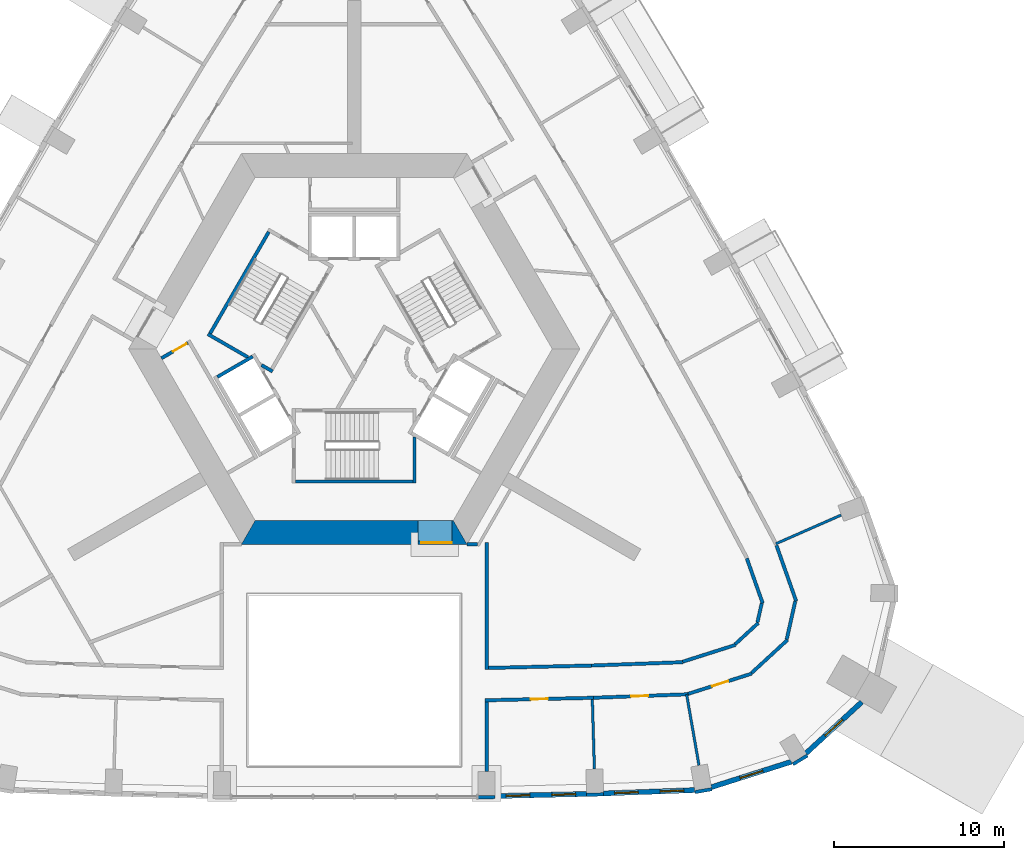
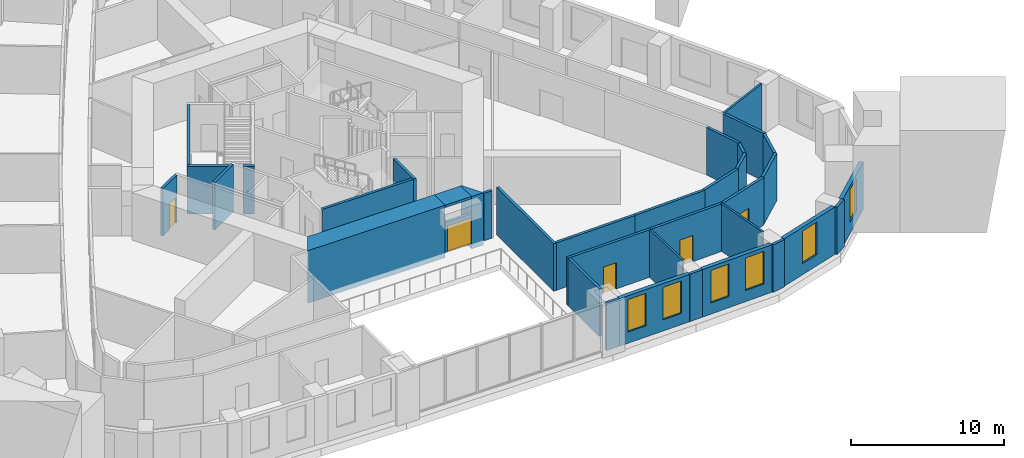
# One storey, part 5 of 13: 37 walls, 6 windows, 5 doors, 11 openings.
"""IFC4 building model written with IfcOpenShell, lengths in metres."""

from ifc_helpers import new_model, si_unit, direction, frame, frame_2d, origin, place, context, subcontext, project, spatial, polyline, rectangle, outline, extrude, material, layer, layer_set, type_object, element, fill, save


model = new_model("IFC4")

# Units and contexts
model_context = context("Model", 3, precision=1e-05, world=origin(), true_north=direction((0.0, 1.0)))
body_context = subcontext(model_context, "Body", "Model", "MODEL_VIEW")
ifc_project = project(units=[si_unit("LENGTHUNIT", "METRE"), si_unit("AREAUNIT", "SQUARE_METRE"), si_unit("VOLUMEUNIT", "CUBIC_METRE"), si_unit("PLANEANGLEUNIT", "RADIAN"), si_unit("MASSUNIT", "GRAM", prefix="KILO")], contexts=[model_context])

# Site, building, storey
site_placement = place(None, origin())
site = spatial("IfcSite", under=ifc_project, at=site_placement, CompositionType="ELEMENT")
building_placement = place(site_placement, origin())
building = spatial("IfcBuilding", under=site, at=building_placement, Name="Entoto Arch Interchange Tower", CompositionType="ELEMENT")
storey_placement = place(building_placement, frame((0.0, 0.0, 227.60009765625)))
storey = spatial("IfcBuildingStorey", under=building, at=storey_placement, Name="L51", CompositionType="ELEMENT", Elevation=227.60009765625)

# Wall, opening, door
ifc_material_1 = material(Name="Reinforced concrete C40/50", Category="concrete")
ifc_layer_1 = layer(ifc_material_1, 0.199951171875)
ifc_layer_set_1 = layer_set([ifc_layer_1], Name="Reinforced concrete C40/50")
wall_type_1 = type_object("IfcWallType", Name="CORE GAP INFILL WALL", PredefinedType="PARTITIONING", material=ifc_layer_set_1)
wall_1_placement = place(storey_placement, frame((3.75, -8.89990234375, 0.0), z_axis=(0.0, 0.0, 1.0), x_axis=(1.0, 0.0, 0.0)))
wall_1 = element("IfcWall", 1, at=wall_1_placement, inside=storey, type_object=wall_type_1, Name="wall:L51:gap1", PredefinedType="PARTITIONING", context=body_context, shape_type="SweptSolid", body=[
    extrude(rectangle(XDim=2.0, YDim=0.199951171875, at=frame_2d((1.0, 0.0))), origin(), (0.0, 0.0, 1.0), 2.39990234375),
])
opening_1_placement = place(wall_1_placement, frame((0.18994140625, 0.0, 0.0)))
opening_1 = element("IfcOpeningElement", 2, at=opening_1_placement, cuts=wall_1, Name="Opening L51-D91", PredefinedType="OPENING", context=body_context, shape_type="SweptSolid", body=[
    extrude(rectangle(XDim=1.800048828125, YDim=2.10009765625, at=frame_2d((0.89990234375, 1.050048828125))), frame((0.0, 0.10986328125, 0.0), z_axis=(0.0, -1.0, 0.0), x_axis=(1.0, 0.0, 0.0)), (0.0, 0.0, 1.0), 0.219970703125),
])
ifc_material_2 = material(Name="Fire-rated Steel S235 door and frame", Category="steel")
door_type_1 = type_object("IfcDoorType", Name="DOOR FD-18 1800x2100", OperationType="DOUBLE_DOOR_SINGLE_SWING", PredefinedType="DOOR", material=ifc_material_2)
door_1_placement = place(opening_1_placement, origin())
door_1 = element("IfcDoor", 3, at=door_1_placement, inside=storey, type_object=door_type_1, Name="door:L51:gap1", OperationType="DOUBLE_DOOR_SINGLE_SWING", OverallHeight=2.10009765625, OverallWidth=1.800048828125, PredefinedType="DOOR", context=body_context, shape_type="SweptSolid", body=[
    extrude(rectangle(XDim=1.800048828125, YDim=2.10009765625, at=frame_2d((0.89990234375, 1.050048828125))), frame((0.0, 0.02490234375, 0.0), z_axis=(0.0, -1.0, 0.0), x_axis=(1.0, 0.0, 0.0)), (0.0, 0.0, 1.0), 0.050048828125),
])
fill(opening_1, door_1)

# Walls
ifc_material_3 = material(Name="Concrete C50/60", Category="concrete")
ifc_layer_2 = layer(ifc_material_3, 1.39990234375)
ifc_layer_set_2 = layer_set([ifc_layer_2], Name="Concrete C50/60")
wall_type_2 = type_object("IfcWallType", Name="Core wall 1400 C50/60", PredefinedType="SHEAR", material=ifc_layer_set_2)
wall_2_placement = place(storey_placement, frame((0.0, 0.0, -0.400146484375)))
element("IfcWall", 4, at=wall_2_placement, inside=storey, type_object=wall_type_2, Name="Core wall S L51", PredefinedType="SHEAR", context=body_context, shape_type="SweptSolid", body=[
    extrude(outline(polyline([(3.75, -9.0), (3.75, -7.60009765625), (-5.8310546875, -7.60009765625), (-6.639892578125, -9.0), (3.75, -9.0)])), origin(), (0.0, 0.0, 1.0), 4.199951171875),
])
wall_3_placement = place(storey_placement, frame((0.0, 0.0, -0.400146484375)))
element("IfcWall", 5, at=wall_3_placement, inside=storey, type_object=wall_type_2, Name="Core wall S L51", PredefinedType="SHEAR", context=body_context, shape_type="SweptSolid", body=[
    extrude(outline(polyline([(5.75, -7.60009765625), (5.75, -9.0), (6.639892578125, -9.0), (5.8310546875, -7.60009765625), (5.75, -7.60009765625)])), origin(), (0.0, 0.0, 1.0), 4.199951171875),
])
wall_4_placement = place(storey_placement, frame((0.0, 0.0, 3.599853515625)))
element("IfcWall", 6, at=wall_4_placement, inside=storey, type_object=wall_type_2, Name="Core wall lintel S L51", PredefinedType="SHEAR", context=body_context, shape_type="SweptSolid", body=[
    extrude(outline(polyline([(5.75, -9.0), (5.75, -7.60009765625), (3.75, -7.60009765625), (3.75, -9.0), (5.75, -9.0)])), origin(), (0.0, 0.0, 1.0), 0.199951171875),
])
ifc_material_4 = material(Name="Concrete C40/50", Category="concrete")
ifc_layer_3 = layer(ifc_material_4, 0.199951171875)
ifc_layer_set_3 = layer_set([ifc_layer_3], Name="Concrete C40/50")
wall_type_3 = type_object("IfcWallType", Name="LIFT SHAFT WALL 200", PredefinedType="STANDARD", material=ifc_layer_set_3)
wall_5_placement = place(storey_placement, frame((-5.97705078125, 2.052001953125, 0.0), z_axis=(0.0, 0.0, 1.0), x_axis=(-0.865973769406, -0.500089422704, 0.0)))
element("IfcWall", 7, at=wall_5_placement, inside=storey, type_object=wall_type_3, Name="Shaft wall SW1 cross 1", PredefinedType="STANDARD", context=body_context, shape_type="SweptSolid", body=[
    extrude(rectangle(XDim=2.3994140625, YDim=0.199951171875, at=frame_2d((1.19970703125, 0.0))), origin(), (0.0, 0.0, 1.0), 3.7998046875),
])
ifc_material_5 = material(Name="Gypsum board partition on steel studs", Category="steel")
ifc_layer_4 = layer(ifc_material_5, 0.14990234375)
ifc_layer_set_4 = layer_set([ifc_layer_4], Name="Gypsum board partition on steel studs")
wall_type_4 = type_object("IfcWallType", Name="PARTITION 150", PredefinedType="PARTITIONING", material=ifc_layer_set_4)
wall_6_placement = place(storey_placement, frame((14.013916015625, -18.132080078125, 0.0), z_axis=(0.0, 0.0, 1.0), x_axis=(0.029914181802, -0.999552470722, 0.0)))
element("IfcWall", 8, at=wall_6_placement, inside=storey, type_object=wall_type_4, Name="wall:L51:p114", PredefinedType="PARTITIONING", context=body_context, shape_type="SweptSolid", body=[
    extrude(rectangle(XDim=4.08056640625, YDim=0.14990234375, at=frame_2d((2.040283203125, 0.0))), origin(), (0.0, 0.0, 1.0), 3.7998046875),
])
wall_7_placement = place(storey_placement, frame((19.56396484375, -17.827880859375, 0.0), z_axis=(0.0, 0.0, 1.0), x_axis=(0.171715909123, -0.985146510197, 0.0)))
element("IfcWall", 9, at=wall_7_placement, inside=storey, type_object=wall_type_4, Name="wall:L51:p115", PredefinedType="PARTITIONING", context=body_context, shape_type="SweptSolid", body=[
    extrude(rectangle(XDim=4.234130859375, YDim=0.14990234375, at=frame_2d((2.1171875, 0.0))), origin(), (0.0, 0.0, 1.0), 3.7998046875),
])
wall_8_placement = place(storey_placement, frame((24.819091796875, -8.964111328125, 0.0), z_axis=(0.0, 0.0, 1.0), x_axis=(0.915460951187, 0.402406817602, 0.0)))
element("IfcWall", 10, at=wall_8_placement, inside=storey, type_object=wall_type_4, Name="wall:L51:p116", PredefinedType="PARTITIONING", context=body_context, shape_type="SweptSolid", body=[
    extrude(rectangle(XDim=4.1923828125, YDim=0.14990234375, at=frame_2d((2.09619140625, 0.0))), origin(), (0.0, 0.0, 1.0), 3.7998046875),
])
ifc_layer_5 = layer(ifc_material_5, 0.199951171875)
ifc_layer_set_5 = layer_set([ifc_layer_5], Name="Gypsum board partition on steel studs")
wall_type_5 = type_object("IfcWallType", Name="PARTITION 200", PredefinedType="PARTITIONING", material=ifc_layer_set_5)
wall_9_placement = place(storey_placement, frame((7.89990234375, -16.27392578125, 0.0), z_axis=(0.0, 0.0, 1.0), x_axis=(0.999729409829, 0.023261709391, 0.0)))
element("IfcWall", 11, at=wall_9_placement, inside=storey, type_object=wall_type_5, Name="wall:L51:p020", PredefinedType="PARTITIONING", context=body_context, shape_type="SweptSolid", body=[
    extrude(rectangle(XDim=6.055908203125, YDim=0.199951171875, at=frame_2d((3.02783203125, 0.0))), origin(), (0.0, 0.0, 1.0), 3.7998046875),
])
wall_10_placement = place(storey_placement, frame((13.9541015625, -16.133056640625, 0.0), z_axis=(0.0, 0.0, 1.0), x_axis=(0.999323686931, 0.036771847101, 0.0)))
element("IfcWall", 12, at=wall_10_placement, inside=storey, type_object=wall_type_5, Name="wall:L51:p021", PredefinedType="PARTITIONING", context=body_context, shape_type="SweptSolid", body=[
    extrude(rectangle(XDim=5.384521484375, YDim=0.199951171875, at=frame_2d((2.6923828125, 0.0))), origin(), (0.0, 0.0, 1.0), 3.7998046875),
])
wall_11_placement = place(storey_placement, frame((19.330078125, -15.908935546875, 0.0), z_axis=(0.0, 0.0, 1.0), x_axis=(0.952831275662, 0.303500510906, 0.0)))
element("IfcWall", 13, at=wall_11_placement, inside=storey, type_object=wall_type_5, Name="wall:L51:p022", PredefinedType="PARTITIONING", context=body_context, shape_type="SweptSolid", body=[
    extrude(rectangle(XDim=3.2587890625, YDim=0.199951171875, at=frame_2d((1.62939453125, 0.0))), origin(), (0.0, 0.0, 1.0), 3.7998046875),
])
wall_12_placement = place(storey_placement, frame((22.4140625, -14.883056640625, 0.0), z_axis=(0.0, 0.0, 1.0), x_axis=(0.735983257634, 0.676999737432, 0.0)))
element("IfcWall", 14, at=wall_12_placement, inside=storey, type_object=wall_type_5, Name="wall:L51:p023", PredefinedType="PARTITIONING", context=body_context, shape_type="SweptSolid", body=[
    extrude(rectangle(XDim=1.862548828125, YDim=0.199951171875, at=frame_2d((0.93115234375, 0.0))), origin(), (0.0, 0.0, 1.0), 3.7998046875),
])
wall_13_placement = place(storey_placement, frame((23.73291015625, -13.592041015625, 0.0), z_axis=(0.0, 0.0, 1.0), x_axis=(0.218746220366, 0.975781784558, 0.0)))
element("IfcWall", 15, at=wall_13_placement, inside=storey, type_object=wall_type_5, Name="wall:L51:p024", PredefinedType="PARTITIONING", context=body_context, shape_type="SweptSolid", body=[
    extrude(rectangle(XDim=1.15283203125, YDim=0.199951171875, at=frame_2d((0.576416015625, 0.0))), origin(), (0.0, 0.0, 1.0), 3.7998046875),
])
wall_14_placement = place(storey_placement, frame((24.0400390625, -12.462890625, 0.0), z_axis=(0.0, 0.0, 1.0), x_axis=(-0.333166995935, 0.942867834227, 0.0)))
element("IfcWall", 16, at=wall_14_placement, inside=storey, type_object=wall_type_5, Name="wall:L51:p025", PredefinedType="PARTITIONING", context=body_context, shape_type="SweptSolid", body=[
    extrude(rectangle(XDim=2.7978515625, YDim=0.199951171875, at=frame_2d((1.39892578125, 0.0))), origin(), (0.0, 0.0, 1.0), 3.7998046875),
])

# Wall, opening, door
wall_15_placement = place(storey_placement, frame((14.0859375, -18.031005859375, 0.0), z_axis=(0.0, 0.0, 1.0), x_axis=(-0.999731734638, -0.023161579355, 0.0)))
wall_15 = element("IfcWall", 17, at=wall_15_placement, inside=storey, type_object=wall_type_5, Name="wall:L51:p040", PredefinedType="PARTITIONING", context=body_context, shape_type="SweptSolid", body=[
    extrude(rectangle(XDim=6.3876953125, YDim=0.199951171875, at=frame_2d((3.19384765625, 0.0))), origin(), (0.0, 0.0, 1.0), 3.7998046875),
])
opening_2_placement = place(wall_15_placement, frame((2.694091796875, 0.0, 0.0)))
opening_2 = element("IfcOpeningElement", 18, at=opening_2_placement, cuts=wall_15, Name="Opening L51-D01", PredefinedType="OPENING", context=body_context, shape_type="SweptSolid", body=[
    extrude(rectangle(XDim=1.0, YDim=2.10009765625, at=frame_2d((0.5, 1.050048828125))), frame((0.0, 0.10986328125, 0.0), z_axis=(0.0, -1.0, 0.0), x_axis=(1.0, 0.0, 0.0)), (0.0, 0.0, 1.0), 0.219970703125),
])
ifc_material_6 = material(Name="Timber door leaf in Steel S235 frame", Category="steel")
door_type_2 = type_object("IfcDoorType", Name="DOOR DS-10 1000x2100", OperationType="SINGLE_SWING_LEFT", PredefinedType="DOOR", material=ifc_material_6)
door_2_placement = place(opening_2_placement, origin())
door_2 = element("IfcDoor", 19, at=door_2_placement, inside=storey, type_object=door_type_2, Name="door:L51:01", OperationType="SINGLE_SWING_LEFT", OverallHeight=2.10009765625, OverallWidth=1.0, PredefinedType="DOOR", context=body_context, shape_type="SweptSolid", body=[
    extrude(rectangle(XDim=1.0, YDim=2.10009765625, at=frame_2d((0.5, 1.050048828125))), frame((0.0, 0.02490234375, 0.0), z_axis=(0.0, -1.0, 0.0), x_axis=(1.0, 0.0, 0.0)), (0.0, 0.0, 1.0), 0.050048828125),
])
fill(opening_2, door_2)

wall_16_placement = place(storey_placement, frame((19.6640625, -17.823974609375, 0.0), z_axis=(0.0, 0.0, 1.0), x_axis=(-0.999324862533, -0.036739884652, 0.0)))
wall_16 = element("IfcWall", 20, at=wall_16_placement, inside=storey, type_object=wall_type_5, Name="wall:L51:p041", PredefinedType="PARTITIONING", context=body_context, shape_type="SweptSolid", body=[
    extrude(rectangle(XDim=5.581787109375, YDim=0.199951171875, at=frame_2d((2.791015625, 0.0))), origin(), (0.0, 0.0, 1.0), 3.7998046875),
])
opening_3_placement = place(wall_16_placement, frame((2.365966796875, 0.0, 0.0)))
opening_3 = element("IfcOpeningElement", 21, at=opening_3_placement, cuts=wall_16, Name="Opening L51-D02", PredefinedType="OPENING", context=body_context, shape_type="SweptSolid", body=[
    extrude(rectangle(XDim=1.0, YDim=2.10009765625, at=frame_2d((0.5, 1.050048828125))), frame((0.0, 0.10986328125, 0.0), z_axis=(0.0, -1.0, 0.0), x_axis=(1.0, 0.0, 0.0)), (0.0, 0.0, 1.0), 0.219970703125),
])
door_3_placement = place(opening_3_placement, origin())
door_3 = element("IfcDoor", 22, at=door_3_placement, inside=storey, type_object=door_type_2, Name="door:L51:02", OperationType="SINGLE_SWING_LEFT", OverallHeight=2.10009765625, OverallWidth=1.0, PredefinedType="DOOR", context=body_context, shape_type="SweptSolid", body=[
    extrude(rectangle(XDim=1.0, YDim=2.10009765625, at=frame_2d((0.5, 1.050048828125))), frame((0.0, 0.02490234375, 0.0), z_axis=(0.0, -1.0, 0.0), x_axis=(1.0, 0.0, 0.0)), (0.0, 0.0, 1.0), 0.050048828125),
])
fill(opening_3, door_3)

# Walls
wall_17_placement = place(storey_placement, frame((24.85205078125, -9.05908203125, 0.0), z_axis=(0.0, 0.0, 1.0), x_axis=(0.333116923704, -0.942885526001, 0.0)))
element("IfcWall", 23, at=wall_17_placement, inside=storey, type_object=wall_type_5, Name="wall:L51:p042", PredefinedType="PARTITIONING", context=body_context, shape_type="SweptSolid", body=[
    extrude(rectangle(XDim=3.48486328125, YDim=0.199951171875, at=frame_2d((1.742431640625, 0.0))), origin(), (0.0, 0.0, 1.0), 3.7998046875),
])
wall_18_placement = place(storey_placement, frame((25.9580078125, -12.347900390625, 0.0), z_axis=(0.0, 0.0, 1.0), x_axis=(-0.2183498404, -0.975870558628, 0.0)))
element("IfcWall", 24, at=wall_18_placement, inside=storey, type_object=wall_type_5, Name="wall:L51:p043", PredefinedType="PARTITIONING", context=body_context, shape_type="SweptSolid", body=[
    extrude(rectangle(XDim=2.29443359375, YDim=0.199951171875, at=frame_2d((1.147216796875, 0.0))), origin(), (0.0, 0.0, 1.0), 3.7998046875),
])
wall_19_placement = place(storey_placement, frame((25.509033203125, -14.616943359375, 0.0), z_axis=(0.0, 0.0, 1.0), x_axis=(-0.735846476242, -0.677148405745, 0.0)))
element("IfcWall", 25, at=wall_19_placement, inside=storey, type_object=wall_type_5, Name="wall:L51:p044", PredefinedType="PARTITIONING", context=body_context, shape_type="SweptSolid", body=[
    extrude(rectangle(XDim=2.878173828125, YDim=0.199951171875, at=frame_2d((1.43896484375, 0.0))), origin(), (0.0, 0.0, 1.0), 3.7998046875),
])

# Wall, opening, door
wall_20_placement = place(storey_placement, frame((23.412109375, -16.60302734375, 0.0), z_axis=(0.0, 0.0, 1.0), x_axis=(-0.952838618572, -0.303477457083, 0.0)))
wall_20 = element("IfcWall", 26, at=wall_20_placement, inside=storey, type_object=wall_type_5, Name="wall:L51:p045", PredefinedType="PARTITIONING", context=body_context, shape_type="SweptSolid", body=[
    extrude(rectangle(XDim=3.93798828125, YDim=0.199951171875, at=frame_2d((1.968994140625, 0.0))), origin(), (0.0, 0.0, 1.0), 3.7998046875),
])
opening_4_placement = place(wall_20_placement, frame((1.468994140625, 0.0, 0.0)))
opening_4 = element("IfcOpeningElement", 27, at=opening_4_placement, cuts=wall_20, Name="Opening L51-D03", PredefinedType="OPENING", context=body_context, shape_type="SweptSolid", body=[
    extrude(rectangle(XDim=1.0, YDim=2.10009765625, at=frame_2d((0.5, 1.050048828125))), frame((0.0, 0.10986328125, 0.0), z_axis=(0.0, -1.0, 0.0), x_axis=(1.0, 0.0, 0.0)), (0.0, 0.0, 1.0), 0.219970703125),
])
door_4_placement = place(opening_4_placement, origin())
door_4 = element("IfcDoor", 28, at=door_4_placement, inside=storey, type_object=door_type_2, Name="door:L51:03", OperationType="SINGLE_SWING_LEFT", OverallHeight=2.10009765625, OverallWidth=1.0, PredefinedType="DOOR", context=body_context, shape_type="SweptSolid", body=[
    extrude(rectangle(XDim=1.0, YDim=2.10009765625, at=frame_2d((0.5, 1.050048828125))), frame((0.0, 0.02490234375, 0.0), z_axis=(0.0, -1.0, 0.0), x_axis=(1.0, 0.0, 0.0)), (0.0, 0.0, 1.0), 0.050048828125),
])
fill(opening_4, door_4)

wall_21_placement = place(storey_placement, frame((-11.346923828125, 1.9541015625, 0.0), z_axis=(0.0, 0.0, 1.0), x_axis=(0.866282695276, 0.499554093032, 0.0)))
wall_21 = element("IfcWall", 29, at=wall_21_placement, inside=storey, type_object=wall_type_5, Name="wall:L51:p078", PredefinedType="PARTITIONING", context=body_context, shape_type="SweptSolid", body=[
    extrude(rectangle(XDim=1.799560546875, YDim=0.199951171875, at=frame_2d((0.89990234375, 0.0))), origin(), (0.0, 0.0, 1.0), 3.7998046875),
])
opening_5_placement = place(wall_21_placement, frame((0.800048828125, 0.0, 0.0)))
opening_5 = element("IfcOpeningElement", 30, at=opening_5_placement, cuts=wall_21, Name="Opening L51-D31", PredefinedType="OPENING", context=body_context, shape_type="SweptSolid", body=[
    extrude(rectangle(XDim=0.89990234375, YDim=2.10009765625, at=frame_2d((0.449951171875, 1.050048828125))), frame((0.0, 0.10986328125, 0.0), z_axis=(0.0, -1.0, 0.0), x_axis=(1.0, 0.0, 0.0)), (0.0, 0.0, 1.0), 0.219970703125),
])
door_type_3 = type_object("IfcDoorType", Name="DOOR DS-09 900x2100", OperationType="SINGLE_SWING_LEFT", PredefinedType="DOOR", material=ifc_material_6)
door_5_placement = place(opening_5_placement, origin())
door_5 = element("IfcDoor", 31, at=door_5_placement, inside=storey, type_object=door_type_3, Name="door:L51:31", OperationType="SINGLE_SWING_LEFT", OverallHeight=2.10009765625, OverallWidth=0.89990234375, PredefinedType="DOOR", context=body_context, shape_type="SweptSolid", body=[
    extrude(rectangle(XDim=0.89990234375, YDim=2.10009765625, at=frame_2d((0.449951171875, 1.050048828125))), frame((0.0, 0.02490234375, 0.0), z_axis=(0.0, -1.0, 0.0), x_axis=(1.0, 0.0, 0.0)), (0.0, 0.0, 1.0), 0.050048828125),
])
fill(opening_5, door_5)

# Walls
wall_22_placement = place(storey_placement, frame((6.64111328125, -8.9990234375, 0.0), z_axis=(0.0, 0.0, 1.0), x_axis=(1.0, 0.0, 0.0)))
element("IfcWall", 32, at=wall_22_placement, inside=storey, type_object=wall_type_5, Name="wall:L51:p084", PredefinedType="PARTITIONING", context=body_context, shape_type="SweptSolid", body=[
    extrude(rectangle(XDim=0.616943359375, YDim=0.199951171875, at=frame_2d((0.30859375, 0.0))), origin(), (0.0, 0.0, 1.0), 3.7998046875),
])
wall_23_placement = place(storey_placement, frame((7.800048828125, -8.89892578125, 0.0), z_axis=(0.0, 0.0, 1.0), x_axis=(0.0, -1.0, 0.0)))
element("IfcWall", 33, at=wall_23_placement, inside=storey, type_object=wall_type_5, Name="wall:L51:p098", PredefinedType="PARTITIONING", context=body_context, shape_type="SweptSolid", body=[
    extrude(rectangle(XDim=7.47705078125, YDim=0.199951171875, at=frame_2d((3.738525390625, 0.0))), origin(), (0.0, 0.0, 1.0), 3.7998046875),
])
wall_24_placement = place(storey_placement, frame((7.800048828125, -18.27587890625, 0.0), z_axis=(0.0, 0.0, 1.0), x_axis=(0.0, -1.0, 0.0)))
element("IfcWall", 34, at=wall_24_placement, inside=storey, type_object=wall_type_5, Name="wall:L51:p102", PredefinedType="PARTITIONING", context=body_context, shape_type="SweptSolid", body=[
    extrude(rectangle(XDim=4.08203125, YDim=0.199951171875, at=frame_2d((2.041015625, 0.0))), origin(), (0.0, 0.0, 1.0), 3.7998046875),
])
ifc_layer_6 = layer(ifc_material_4, 0.199951171875)
ifc_layer_set_6 = layer_set([ifc_layer_6], Name="Concrete C40/50")
wall_type_6 = type_object("IfcWallType", Name="STAIR ENCLOSURE WALL 200", PredefinedType="STANDARD", material=ifc_layer_set_6)
wall_25_placement = place(storey_placement, frame((3.550048828125, -2.6669921875, 0.0), z_axis=(0.0, 0.0, 1.0), x_axis=(0.0, -1.0, 0.0)))
element("IfcWall", 35, at=wall_25_placement, inside=storey, type_object=wall_type_6, Name="Stair wall ST-S far", PredefinedType="STANDARD", context=body_context, shape_type="SweptSolid", body=[
    extrude(rectangle(XDim=2.73291015625, YDim=0.199951171875, at=frame_2d((1.366455078125, 0.0))), origin(), (0.0, 0.0, 1.0), 3.7998046875),
])
wall_26_placement = place(storey_placement, frame((-3.449951171875, -5.300048828125, 0.0), z_axis=(0.0, 0.0, 1.0), x_axis=(1.0, 0.0, 0.0)))
element("IfcWall", 36, at=wall_26_placement, inside=storey, type_object=wall_type_6, Name="Stair wall ST-S back", PredefinedType="STANDARD", context=body_context, shape_type="SweptSolid", body=[
    extrude(rectangle(XDim=6.89990234375, YDim=0.199951171875, at=frame_2d((3.449951171875, 0.0))), origin(), (0.0, 0.0, 1.0), 3.7998046875),
])
wall_27_placement = place(storey_placement, frame((-6.25, 2.010009765625, 0.0), z_axis=(0.0, 0.0, 1.0), x_axis=(-0.86611865017, 0.499838457731, 0.0)))
element("IfcWall", 37, at=wall_27_placement, inside=storey, type_object=wall_type_6, Name="Stair wall ST-NW far", PredefinedType="STANDARD", context=body_context, shape_type="SweptSolid", body=[
    extrude(rectangle(XDim=2.73291015625, YDim=0.199951171875, at=frame_2d((1.366455078125, 0.0))), origin(), (0.0, 0.0, 1.0), 3.7998046875),
])
wall_28_placement = place(storey_placement, frame((-4.805908203125, 1.176025390625, 0.0), z_axis=(0.0, 0.0, 1.0), x_axis=(-0.866558586415, 0.499075361355, 0.0)))
element("IfcWall", 38, at=wall_28_placement, inside=storey, type_object=wall_type_6, Name="Stair wall ST-NW far return", PredefinedType="STANDARD", context=body_context, shape_type="SweptSolid", body=[
    extrude(rectangle(XDim=0.75146484375, YDim=0.199951171875, at=frame_2d((0.375732421875, 0.0))), origin(), (0.0, 0.0, 1.0), 3.7998046875),
])
wall_29_placement = place(storey_placement, frame((-5.030029296875, 9.387939453125, 0.0), z_axis=(0.0, 0.0, 1.0), x_axis=(-0.499978703459, -0.866037698999, 0.0)))
element("IfcWall", 39, at=wall_29_placement, inside=storey, type_object=wall_type_6, Name="Stair wall ST-NW back", PredefinedType="STANDARD", context=body_context, shape_type="SweptSolid", body=[
    extrude(rectangle(XDim=6.900146484375, YDim=0.199951171875, at=frame_2d((3.4501953125, 0.0))), origin(), (0.0, 0.0, 1.0), 3.7998046875),
])

# Wall, openings, windows
ifc_material_7 = material(Name="Welded tuff (ignimbrite) cladding, warm buff", Category="masonry")
ifc_layer_7 = layer(ifc_material_7, 0.300048828125)
ifc_layer_set_7 = layer_set([ifc_layer_7], Name="Welded tuff (ignimbrite) cladding, warm buff")
wall_type_7 = type_object("IfcWallType", Name="STONE INFILL WALL 300", PredefinedType="STANDARD", material=ifc_layer_set_7)
wall_30_placement = place(storey_placement, frame((8.297119140625, -23.81591796875, 0.0), z_axis=(0.0, 0.0, 1.0), x_axis=(0.999734766333, 0.023030349233, 0.0)))
wall_30 = element("IfcWall", 40, at=wall_30_placement, inside=storey, type_object=wall_type_7, Name="Facade wall S-04 L51", PredefinedType="STANDARD", context=body_context, shape_type="SweptSolid", body=[
    extrude(rectangle(XDim=5.38525390625, YDim=0.300048828125, at=frame_2d((2.692626953125, 0.0))), origin(), (0.0, 0.0, 1.0), 3.7998046875),
])
opening_6_placement = place(wall_30_placement, frame((0.64599609375, 0.0, 0.89990234375)))
opening_6 = element("IfcOpeningElement", 41, at=opening_6_placement, cuts=wall_30, Name="Opening WO-B", PredefinedType="OPENING", context=body_context, shape_type="SweptSolid", body=[
    extrude(rectangle(XDim=1.39990234375, YDim=2.60009765625, at=frame_2d((0.699951171875, 1.300048828125))), frame((0.0, 0.16015625, 0.0), z_axis=(0.0, -1.0, 0.0), x_axis=(1.0, 0.0, 0.0)), (0.0, 0.0, 1.0), 0.320068359375),
])
opening_7_placement = place(wall_30_placement, frame((3.339111328125, 0.0, 0.89990234375)))
opening_7 = element("IfcOpeningElement", 42, at=opening_7_placement, cuts=wall_30, Name="Opening WO-B", PredefinedType="OPENING", context=body_context, shape_type="SweptSolid", body=[
    extrude(rectangle(XDim=1.39990234375, YDim=2.60009765625, at=frame_2d((0.699951171875, 1.300048828125))), frame((0.0, 0.16015625, 0.0), z_axis=(0.0, -1.0, 0.0), x_axis=(1.0, 0.0, 0.0)), (0.0, 0.0, 1.0), 0.320068359375),
])
ifc_material_8 = material(Name="Clear glass, low-e double glazed", Category="glass")
window_type = type_object("IfcWindowType", Name="WINDOW WO-B 1400x2600", PartitioningType="DOUBLE_PANEL_VERTICAL", PredefinedType="WINDOW", material=ifc_material_8)
window_1_placement = place(opening_6_placement, origin())
window_1 = element("IfcWindow", 43, at=window_1_placement, inside=storey, type_object=window_type, Name="Window WO-B S-04 L51", OverallHeight=2.60009765625, OverallWidth=1.39990234375, PartitioningType="SINGLE_PANEL", PredefinedType="WINDOW", context=body_context, shape_type="SweptSolid", body=[
    extrude(rectangle(XDim=1.39990234375, YDim=2.60009765625, at=frame_2d((0.699951171875, 1.300048828125))), frame((0.0, 0.030029296875, 0.0), z_axis=(0.0, -1.0, 0.0), x_axis=(1.0, 0.0, 0.0)), (0.0, 0.0, 1.0), 0.06005859375),
])
fill(opening_6, window_1)
window_2_placement = place(opening_7_placement, origin())
window_2 = element("IfcWindow", 44, at=window_2_placement, inside=storey, type_object=window_type, Name="Window WO-B S-04 L51", OverallHeight=2.60009765625, OverallWidth=1.39990234375, PartitioningType="SINGLE_PANEL", PredefinedType="WINDOW", context=body_context, shape_type="SweptSolid", body=[
    extrude(rectangle(XDim=1.39990234375, YDim=2.60009765625, at=frame_2d((0.699951171875, 1.300048828125))), frame((0.0, 0.030029296875, 0.0), z_axis=(0.0, -1.0, 0.0), x_axis=(1.0, 0.0, 0.0)), (0.0, 0.0, 1.0), 0.06005859375),
])
fill(opening_7, window_2)

wall_31_placement = place(storey_placement, frame((14.678955078125, -23.662109375, 0.0), z_axis=(0.0, 0.0, 1.0), x_axis=(0.999318693414, 0.036907302717, 0.0)))
wall_31 = element("IfcWall", 45, at=wall_31_placement, inside=storey, type_object=wall_type_7, Name="Facade wall S-05 L51", PredefinedType="STANDARD", context=body_context, shape_type="SweptSolid", body=[
    extrude(rectangle(XDim=5.36474609375, YDim=0.300048828125, at=frame_2d((2.682373046875, 0.0))), origin(), (0.0, 0.0, 1.0), 3.7998046875),
])
opening_8_placement = place(wall_31_placement, frame((0.64111328125, 0.0, 0.89990234375)))
opening_8 = element("IfcOpeningElement", 46, at=opening_8_placement, cuts=wall_31, Name="Opening WO-B", PredefinedType="OPENING", context=body_context, shape_type="SweptSolid", body=[
    extrude(rectangle(XDim=1.39990234375, YDim=2.60009765625, at=frame_2d((0.699951171875, 1.300048828125))), frame((0.0, 0.16015625, 0.0), z_axis=(0.0, -1.0, 0.0), x_axis=(1.0, 0.0, 0.0)), (0.0, 0.0, 1.0), 0.320068359375),
])
opening_9_placement = place(wall_31_placement, frame((3.322998046875, 0.0, 0.89990234375)))
opening_9 = element("IfcOpeningElement", 47, at=opening_9_placement, cuts=wall_31, Name="Opening WO-B", PredefinedType="OPENING", context=body_context, shape_type="SweptSolid", body=[
    extrude(rectangle(XDim=1.39990234375, YDim=2.60009765625, at=frame_2d((0.699951171875, 1.300048828125))), frame((0.0, 0.16015625, 0.0), z_axis=(0.0, -1.0, 0.0), x_axis=(1.0, 0.0, 0.0)), (0.0, 0.0, 1.0), 0.320068359375),
])
window_3_placement = place(opening_8_placement, origin())
window_3 = element("IfcWindow", 48, at=window_3_placement, inside=storey, type_object=window_type, Name="Window WO-B S-05 L51", OverallHeight=2.60009765625, OverallWidth=1.39990234375, PartitioningType="SINGLE_PANEL", PredefinedType="WINDOW", context=body_context, shape_type="SweptSolid", body=[
    extrude(rectangle(XDim=1.39990234375, YDim=2.60009765625, at=frame_2d((0.699951171875, 1.300048828125))), frame((0.0, 0.030029296875, 0.0), z_axis=(0.0, -1.0, 0.0), x_axis=(1.0, 0.0, 0.0)), (0.0, 0.0, 1.0), 0.06005859375),
])
fill(opening_8, window_3)
window_4_placement = place(opening_9_placement, origin())
window_4 = element("IfcWindow", 49, at=window_4_placement, inside=storey, type_object=window_type, Name="Window WO-B S-05 L51", OverallHeight=2.60009765625, OverallWidth=1.39990234375, PartitioningType="SINGLE_PANEL", PredefinedType="WINDOW", context=body_context, shape_type="SweptSolid", body=[
    extrude(rectangle(XDim=1.39990234375, YDim=2.60009765625, at=frame_2d((0.699951171875, 1.300048828125))), frame((0.0, 0.030029296875, 0.0), z_axis=(0.0, -1.0, 0.0), x_axis=(1.0, 0.0, 0.0)), (0.0, 0.0, 1.0), 0.06005859375),
])
fill(opening_9, window_4)

# Wall, opening, window
wall_32_placement = place(storey_placement, frame((21.02294921875, -23.29296875, 0.0), z_axis=(0.0, 0.0, 1.0), x_axis=(0.952886818649, 0.30332608006, 0.0)))
wall_32 = element("IfcWall", 50, at=wall_32_placement, inside=storey, type_object=wall_type_7, Name="Facade wall SE-01 L51", PredefinedType="STANDARD", context=body_context, shape_type="SweptSolid", body=[
    extrude(rectangle(XDim=4.938720703125, YDim=0.300048828125, at=frame_2d((2.46923828125, 0.0))), origin(), (0.0, 0.0, 1.0), 3.7998046875),
])
opening_10_placement = place(wall_32_placement, frame((1.76904296875, 0.0, 0.89990234375)))
opening_10 = element("IfcOpeningElement", 51, at=opening_10_placement, cuts=wall_32, Name="Opening WO-B", PredefinedType="OPENING", context=body_context, shape_type="SweptSolid", body=[
    extrude(rectangle(XDim=1.39990234375, YDim=2.60009765625, at=frame_2d((0.699951171875, 1.300048828125))), frame((0.0, 0.16015625, 0.0), z_axis=(0.0, -1.0, 0.0), x_axis=(1.0, 0.0, 0.0)), (0.0, 0.0, 1.0), 0.320068359375),
])
window_5_placement = place(opening_10_placement, origin())
window_5 = element("IfcWindow", 52, at=window_5_placement, inside=storey, type_object=window_type, Name="Window WO-B SE-01 L51", OverallHeight=2.60009765625, OverallWidth=1.39990234375, PartitioningType="SINGLE_PANEL", PredefinedType="WINDOW", context=body_context, shape_type="SweptSolid", body=[
    extrude(rectangle(XDim=1.39990234375, YDim=2.60009765625, at=frame_2d((0.699951171875, 1.300048828125))), frame((0.0, 0.030029296875, 0.0), z_axis=(0.0, -1.0, 0.0), x_axis=(1.0, 0.0, 0.0)), (0.0, 0.0, 1.0), 0.06005859375),
])
fill(opening_10, window_5)

wall_33_placement = place(storey_placement, frame((26.593994140625, -21.2958984375, 0.0), z_axis=(0.0, 0.0, 1.0), x_axis=(0.735927731403, 0.67706009641, 0.0)))
wall_33 = element("IfcWall", 53, at=wall_33_placement, inside=storey, type_object=wall_type_7, Name="Facade wall SE-02 L51", PredefinedType="STANDARD", context=body_context, shape_type="SweptSolid", body=[
    extrude(rectangle(XDim=4.449951171875, YDim=0.300048828125, at=frame_2d((2.22509765625, 0.0))), origin(), (0.0, 0.0, 1.0), 3.7998046875),
])
opening_11_placement = place(wall_33_placement, frame((1.52490234375, 0.0, 0.89990234375)))
opening_11 = element("IfcOpeningElement", 54, at=opening_11_placement, cuts=wall_33, Name="Opening WO-B", PredefinedType="OPENING", context=body_context, shape_type="SweptSolid", body=[
    extrude(rectangle(XDim=1.39990234375, YDim=2.60009765625, at=frame_2d((0.699951171875, 1.300048828125))), frame((0.0, 0.16015625, 0.0), z_axis=(0.0, -1.0, 0.0), x_axis=(1.0, 0.0, 0.0)), (0.0, 0.0, 1.0), 0.320068359375),
])
window_6_placement = place(opening_11_placement, origin())
window_6 = element("IfcWindow", 55, at=window_6_placement, inside=storey, type_object=window_type, Name="Window WO-B SE-02 L51", OverallHeight=2.60009765625, OverallWidth=1.39990234375, PartitioningType="SINGLE_PANEL", PredefinedType="WINDOW", context=body_context, shape_type="SweptSolid", body=[
    extrude(rectangle(XDim=1.39990234375, YDim=2.60009765625, at=frame_2d((0.699951171875, 1.300048828125))), frame((0.0, 0.030029296875, 0.0), z_axis=(0.0, -1.0, 0.0), x_axis=(1.0, 0.0, 0.0)), (0.0, 0.0, 1.0), 0.06005859375),
])
fill(opening_11, window_6)

# Walls
ifc_layer_8 = layer(ifc_material_7, 0.199951171875)
ifc_layer_set_8 = layer_set([ifc_layer_8], Name="Welded tuff (ignimbrite) cladding, warm buff")
wall_type_8 = type_object("IfcWallType", Name="STONE PIER CLADDING 200", PredefinedType="STANDARD", material=ifc_layer_set_8)
wall_34_placement = place(storey_placement, frame((7.299072265625, -23.885009765625, 0.0), z_axis=(0.0, 0.0, 1.0), x_axis=(0.999903186316, 0.013914668364, 0.0)))
element("IfcWall", 56, at=wall_34_placement, inside=storey, type_object=wall_type_8, Name="Stone pier S04 L51", PredefinedType="STANDARD", context=body_context, shape_type="SweptSolid", body=[
    extrude(rectangle(XDim=1.0, YDim=0.199951171875, at=frame_2d((0.5, 0.0))), origin(), (0.0, 0.0, 1.0), 3.7998046875),
])
wall_35_placement = place(storey_placement, frame((13.681884765625, -23.7470703125, 0.0), z_axis=(0.0, 0.0, 1.0), x_axis=(0.999415245245, 0.034193092457, 0.0)))
element("IfcWall", 57, at=wall_35_placement, inside=storey, type_object=wall_type_8, Name="Stone pier S05 L51", PredefinedType="STANDARD", context=body_context, shape_type="SweptSolid", body=[
    extrude(rectangle(XDim=0.99951171875, YDim=0.199951171875, at=frame_2d((0.499755859375, 0.0))), origin(), (0.0, 0.0, 1.0), 3.7998046875),
])
wall_36_placement = place(storey_placement, frame((20.05908203125, -23.5810546875, 0.0), z_axis=(0.0, 0.0, 1.0), x_axis=(0.985631544579, 0.168909615862, 0.0)))
element("IfcWall", 58, at=wall_36_placement, inside=storey, type_object=wall_type_8, Name="Stone pier S06 L51", PredefinedType="STANDARD", context=body_context, shape_type="SweptSolid", body=[
    extrude(rectangle(XDim=1.000244140625, YDim=0.199951171875, at=frame_2d((0.5, 0.0))), origin(), (0.0, 0.0, 1.0), 3.7998046875),
])
wall_37_placement = place(storey_placement, frame((25.820068359375, -21.946044921875, 0.0), z_axis=(0.0, 0.0, 1.0), x_axis=(0.853679739553, 0.520798331677, 0.0)))
element("IfcWall", 59, at=wall_37_placement, inside=storey, type_object=wall_type_8, Name="Stone pier SE1 L51", PredefinedType="STANDARD", context=body_context, shape_type="SweptSolid", body=[
    extrude(rectangle(XDim=1.00048828125, YDim=0.199951171875, at=frame_2d((0.500244140625, 0.0))), origin(), (0.0, 0.0, 1.0), 3.7998046875),
])

save(model, "model.ifc")
